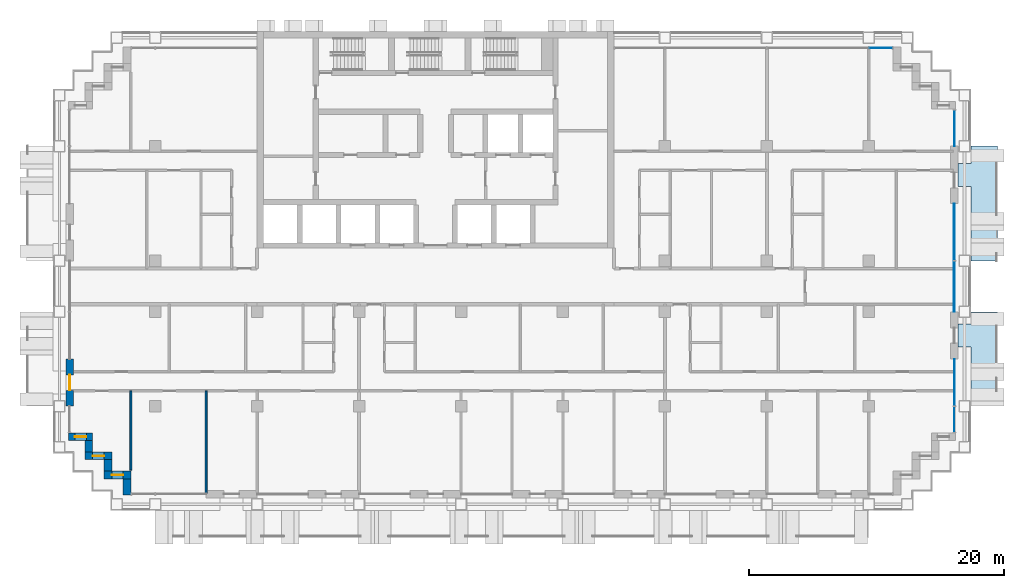
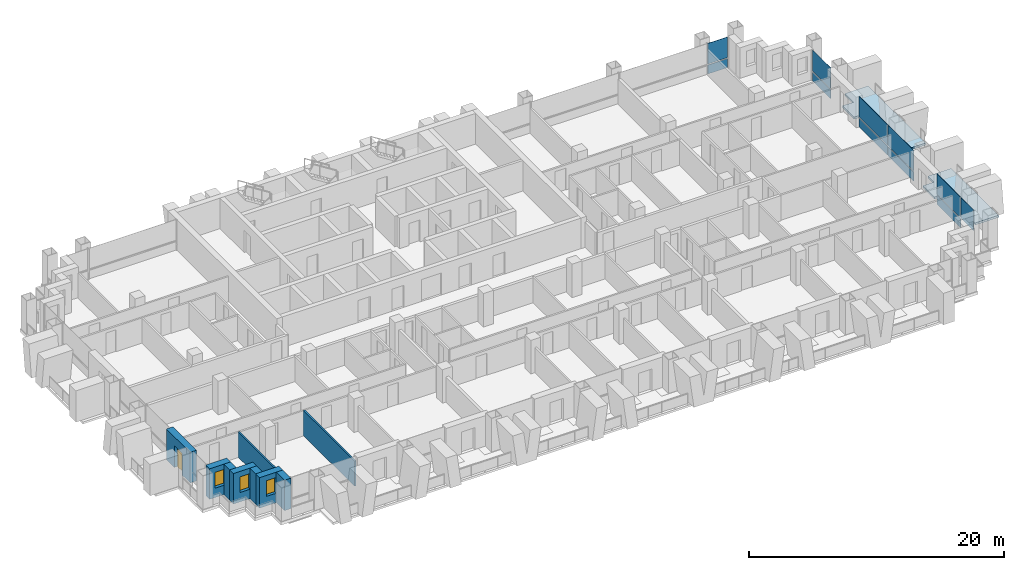
# One storey, part 8 of 17: 11 plates, 9 walls, 3 windows, 2 slabs, 1 door, 4 openings, 4 elements without a shape of their own.
"""IFC4 building model written with IfcOpenShell, lengths in metres."""

from ifc_helpers import new_model, si_unit, direction, frame, frame_2d, origin, origin_2d, place, context, subcontext, project, spatial, polyline, rectangle, outline, extrude, material, layer, layer_set, type_object, element, fill, aggregate, save


model = new_model("IFC4")

# Units and contexts
model_context = context("Model", 3, precision=1e-05, world=origin(), true_north=direction((0.0, 1.0)))
body_context = subcontext(model_context, "Body", "Model", "MODEL_VIEW")
ifc_project = project(units=[si_unit("LENGTHUNIT", "METRE"), si_unit("AREAUNIT", "SQUARE_METRE"), si_unit("VOLUMEUNIT", "CUBIC_METRE"), si_unit("PLANEANGLEUNIT", "RADIAN"), si_unit("MASSUNIT", "GRAM", prefix="KILO")], contexts=[model_context])

# Site, building, storey
site_placement = place(None, origin())
site = spatial("IfcSite", under=ifc_project, at=site_placement, CompositionType="ELEMENT")
building_placement = place(site_placement, origin())
building = spatial("IfcBuilding", under=site, at=building_placement, Name="Vidyagriha Tower", CompositionType="ELEMENT")
storey_placement = place(building_placement, frame((0.0, 0.0, 96.699951171875)))
storey = spatial("IfcBuildingStorey", under=building, at=storey_placement, Name="L25", CompositionType="ELEMENT", Elevation=96.699951171875)

# Curtain wall, plate
ifc_material_1 = material(Name="Aluminium and glass curtain wall", Category="aluminium")
curtain_wall_type = type_object("IfcCurtainWallType", Name="Dwelling skin unitised curtain wall", PredefinedType="USERDEFINED", material=ifc_material_1)
curtain_wall_1_placement = place(storey_placement, origin())
curtain_wall_1 = element("IfcCurtainWall", 1, at=curtain_wall_1_placement, inside=storey, type_object=curtain_wall_type, Name="CW1 dwelling skin", ObjectType="UNITISED", PredefinedType="USERDEFINED")
ifc_material_2 = material(Name="Glass dark ceramic-fritted spandrel", Category="glass")
ifc_layer_1 = layer(ifc_material_2, 0.0400390625)
ifc_layer_set_1 = layer_set([ifc_layer_1], Name="Glass dark ceramic-fritted spandrel")
plate_type_1 = type_object("IfcPlateType", Name="Ceramic-fritted spandrel panel", PredefinedType="CURTAIN_PANEL", material=ifc_layer_set_1)
plate_1_placement = place(storey_placement, frame((34.9326171875, 18.699951171875, 0.0), z_axis=(0.0, 0.0, 1.0), x_axis=(-1.0, 0.0, 0.0)))
plate_1 = element("IfcPlate", 2, at=plate_1_placement, type_object=plate_type_1, Name="CW1 panel 1.1", PredefinedType="CURTAIN_PANEL", context=body_context, shape_type="SweptSolid", body=[
    extrude(rectangle(XDim=1.794921875, YDim=0.0400390625, at=origin_2d()), origin(), (0.0, 0.0, 1.0), 0.85009765625),
])

curtain_wall_2_placement = place(storey_placement, origin())
curtain_wall_2 = element("IfcCurtainWall", 3, at=curtain_wall_2_placement, inside=storey, type_object=curtain_wall_type, Name="CW1 dwelling skin", ObjectType="UNITISED", PredefinedType="USERDEFINED")
plate_2_placement = place(storey_placement, frame((40.699951171875, -7.532470703125, 0.0), z_axis=(0.0, 0.0, 1.0), x_axis=(0.0, 1.0, 0.0)))
plate_2 = element("IfcPlate", 4, at=plate_2_placement, type_object=plate_type_1, Name="CW1 panel 2.1", PredefinedType="CURTAIN_PANEL", context=body_context, shape_type="SweptSolid", body=[
    extrude(rectangle(XDim=3.6650390625, YDim=0.0400390625, at=origin_2d()), origin(), (0.0, 0.0, 1.0), 0.85009765625),
])

curtain_wall_3_placement = place(storey_placement, origin())
curtain_wall_3 = element("IfcCurtainWall", 5, at=curtain_wall_3_placement, inside=storey, type_object=curtain_wall_type, Name="CW1 dwelling skin", ObjectType="UNITISED", PredefinedType="USERDEFINED")
plate_3_placement = place(storey_placement, frame((40.699951171875, 12.4150390625, 0.0), z_axis=(0.0, 0.0, 1.0), x_axis=(0.0, 1.0, 0.0)))
plate_3 = element("IfcPlate", 6, at=plate_3_placement, type_object=plate_type_1, Name="CW1 panel 1.1", PredefinedType="CURTAIN_PANEL", context=body_context, shape_type="SweptSolid", body=[
    extrude(rectangle(XDim=2.830078125, YDim=0.0400390625, at=origin_2d()), origin(), (0.0, 0.0, 1.0), 0.85009765625),
])

# Plate
ifc_material_3 = material(Name="Glass dark ceramic-fritted", Category="glass")
ifc_layer_2 = layer(ifc_material_3, 0.028076171875)
ifc_layer_set_2 = layer_set([ifc_layer_2], Name="Glass dark ceramic-fritted")
plate_type_2 = type_object("IfcPlateType", Name="Dark ceramic-fritted vision glass panel", PredefinedType="CURTAIN_PANEL", material=ifc_layer_set_2)
plate_4_placement = place(storey_placement, frame((34.9326171875, 18.699951171875, 0.9501953125), z_axis=(0.0, 0.0, 1.0), x_axis=(-1.0, 0.0, 0.0)))
plate_4 = element("IfcPlate", 7, at=plate_4_placement, type_object=plate_type_2, Name="CW1 panel 1.2", PredefinedType="CURTAIN_PANEL", context=body_context, shape_type="SweptSolid", body=[
    extrude(rectangle(XDim=1.794921875, YDim=0.028076171875, at=origin_2d()), origin(), (0.0, 0.0, 1.0), 1.969970703125),
])

aggregate(curtain_wall_1, [plate_1, plate_4])

plate_5_placement = place(storey_placement, frame((40.699951171875, -10.4326171875, 0.9501953125), z_axis=(0.0, 0.0, 1.0), x_axis=(0.0, 1.0, 0.0)))
plate_5 = element("IfcPlate", 8, at=plate_5_placement, type_object=plate_type_2, Name="CW1 panel 1.2", PredefinedType="CURTAIN_PANEL", context=body_context, shape_type="SweptSolid", body=[
    extrude(rectangle(XDim=1.9951171875, YDim=0.028076171875, at=origin_2d()), origin(), (0.0, 0.0, 1.0), 1.969970703125),
])

plate_6_placement = place(storey_placement, frame((40.699951171875, -7.532470703125, 0.9501953125), z_axis=(0.0, 0.0, 1.0), x_axis=(0.0, 1.0, 0.0)))
plate_6 = element("IfcPlate", 9, at=plate_6_placement, type_object=plate_type_2, Name="CW1 panel 2.2", PredefinedType="CURTAIN_PANEL", context=body_context, shape_type="SweptSolid", body=[
    extrude(rectangle(XDim=3.6650390625, YDim=0.028076171875, at=origin_2d()), origin(), (0.0, 0.0, 1.0), 1.969970703125),
])

aggregate(curtain_wall_2, [plate_5, plate_2, plate_6])

# Curtain wall, plates
curtain_wall_4_placement = place(storey_placement, origin())
curtain_wall_4 = element("IfcCurtainWall", 10, at=curtain_wall_4_placement, inside=storey, type_object=curtain_wall_type, Name="CW1 dwelling skin", ObjectType="UNITISED", PredefinedType="USERDEFINED")
plate_7_placement = place(storey_placement, frame((40.699951171875, -0.017578125, 0.9501953125), z_axis=(0.0, 0.0, 1.0), x_axis=(0.0, 1.0, 0.0)))
plate_7 = element("IfcPlate", 11, at=plate_7_placement, type_object=plate_type_2, Name="CW1 panel 1.2", PredefinedType="CURTAIN_PANEL", context=body_context, shape_type="SweptSolid", body=[
    extrude(rectangle(XDim=3.965087890625, YDim=0.028076171875, at=origin_2d()), origin(), (0.0, 0.0, 1.0), 1.969970703125),
])
plate_8_placement = place(storey_placement, frame((40.699951171875, 4.267578125, 0.9501953125), z_axis=(0.0, 0.0, 1.0), x_axis=(0.0, 1.0, 0.0)))
plate_8 = element("IfcPlate", 12, at=plate_8_placement, type_object=plate_type_2, Name="CW1 panel 2.2", PredefinedType="CURTAIN_PANEL", context=body_context, shape_type="SweptSolid", body=[
    extrude(rectangle(XDim=4.465087890625, YDim=0.028076171875, at=origin_2d()), origin(), (0.0, 0.0, 1.0), 1.969970703125),
])

# Plate
plate_9_placement = place(storey_placement, frame((40.699951171875, 12.4150390625, 0.9501953125), z_axis=(0.0, 0.0, 1.0), x_axis=(0.0, 1.0, 0.0)))
plate_9 = element("IfcPlate", 13, at=plate_9_placement, type_object=plate_type_2, Name="CW1 panel 1.2", PredefinedType="CURTAIN_PANEL", context=body_context, shape_type="SweptSolid", body=[
    extrude(rectangle(XDim=2.830078125, YDim=0.028076171875, at=origin_2d()), origin(), (0.0, 0.0, 1.0), 1.969970703125),
])

aggregate(curtain_wall_3, [plate_3, plate_9])

ifc_material_4 = material(Name="Aluminium black anodised", Category="aluminium")
ifc_layer_3 = layer(ifc_material_4, 0.06005859375)
ifc_layer_set_3 = layer_set([ifc_layer_3], Name="Aluminium black anodised")
plate_type_3 = type_object("IfcPlateType", Name="Operable black-metal vent panel", PredefinedType="CURTAIN_PANEL", material=ifc_layer_set_3)
plate_10_placement = place(storey_placement, frame((40.699951171875, -0.017578125, 0.0), z_axis=(0.0, 0.0, 1.0), x_axis=(0.0, 1.0, 0.0)))
plate_10 = element("IfcPlate", 14, at=plate_10_placement, type_object=plate_type_3, Name="CW1 panel 1.1", PredefinedType="CURTAIN_PANEL", context=body_context, shape_type="SweptSolid", body=[
    extrude(rectangle(XDim=3.965087890625, YDim=0.06005859375, at=origin_2d()), origin(), (0.0, 0.0, 1.0), 0.85009765625),
])

plate_11_placement = place(storey_placement, frame((40.699951171875, 4.267578125, 0.0), z_axis=(0.0, 0.0, 1.0), x_axis=(0.0, 1.0, 0.0)))
plate_11 = element("IfcPlate", 15, at=plate_11_placement, type_object=plate_type_3, Name="CW1 panel 2.1", PredefinedType="CURTAIN_PANEL", context=body_context, shape_type="SweptSolid", body=[
    extrude(rectangle(XDim=4.465087890625, YDim=0.06005859375, at=origin_2d()), origin(), (0.0, 0.0, 1.0), 0.85009765625),
])

aggregate(curtain_wall_4, [plate_10, plate_7, plate_11, plate_8])

# Slabs
ifc_material_5 = material(Name="Precast concrete C40/50", Category="concrete")
ifc_layer_4 = layer(ifc_material_5, 0.199951171875)
ifc_layer_set_4 = layer_set([ifc_layer_4], Name="Precast concrete C40/50")
slab_type = type_object("IfcSlabType", Name="Precast balcony slab 200", PredefinedType="USERDEFINED", material=ifc_layer_set_4)
slab_1_placement = place(storey_placement, frame((0.0, 0.0, -0.199951171875)))
element("IfcSlab", 16, at=slab_1_placement, inside=storey, type_object=slab_type, Name="Balcony slab L25 R30.1-1", ObjectType="BALCONY", PredefinedType="USERDEFINED", context=body_context, shape_type="SweptSolid", body=[
    extrude(outline(polyline([(42.0, -4.75), (42.0, -9.39990234375), (44.10009765625, -9.39990234375), (44.10009765625, -2.0), (42.0, -2.0), (42.0, -2.949951171875), (41.0, -2.949951171875), (41.0, -4.75), (42.0, -4.75)])), origin(), (0.0, 0.0, 1.0), 0.199951171875),
])
slab_2_placement = place(storey_placement, frame((0.0, 0.0, -0.199951171875)))
element("IfcSlab", 17, at=slab_2_placement, inside=storey, type_object=slab_type, Name="Balcony slab L25 R30.2-2", ObjectType="BALCONY", PredefinedType="USERDEFINED", context=body_context, shape_type="SweptSolid", body=[
    extrude(outline(polyline([(42.0, 7.85009765625), (42.0, 2.0), (44.10009765625, 2.0), (44.10009765625, 11.0), (42.0, 11.0), (42.0, 9.64990234375), (41.0, 9.64990234375), (41.0, 7.85009765625), (42.0, 7.85009765625)])), origin(), (0.0, 0.0, 1.0), 0.199951171875),
])

# Wall, opening, door
ifc_material_6 = material(Name="Precast concrete C40/50 with brick facing", Category="concrete")
ifc_layer_5 = layer(ifc_material_6, 0.60009765625)
ifc_layer_set_5 = layer_set([ifc_layer_5], Name="Precast concrete C40/50 with brick facing")
wall_type_1 = type_object("IfcWallType", Name="Brick-faced precast wall 600", PredefinedType="STANDARD", material=ifc_layer_set_5)
wall_1_placement = place(storey_placement, frame((-28.699951171875, -5.699951171875, 0.0), z_axis=(0.0, 0.0, 1.0), x_axis=(0.0, -1.0, 0.0)))
wall_1 = element("IfcWall", 18, at=wall_1_placement, inside=storey, type_object=wall_type_1, Name="Brick door bay wall L25 R16.6", PredefinedType="STANDARD", context=body_context, shape_type="SweptSolid", body=[
    extrude(rectangle(XDim=3.699951171875, YDim=0.60009765625, at=frame_2d((1.85009765625, 0.0))), origin(), (0.0, 0.0, 1.0), 2.920166015625),
])
opening_1_placement = place(wall_1_placement, frame((1.25, 0.0, 0.0)))
opening_1 = element("IfcOpeningElement", 19, at=opening_1_placement, cuts=wall_1, Name="Opening D25-67", PredefinedType="OPENING", context=body_context, shape_type="SweptSolid", body=[
    extrude(rectangle(XDim=1.199951171875, YDim=2.10009765625, at=frame_2d((0.60009765625, 1.050048828125))), frame((0.0, 0.31005859375, 0.0), z_axis=(0.0, -1.0, 0.0), x_axis=(1.0, 0.0, 0.0)), (0.0, 0.0, 1.0), 0.6201171875),
])
ifc_material_7 = material(Name="Aluminium framed glazed sliding door", Category="aluminium")
door_type = type_object("IfcDoorType", Name="Balcony sliding door 1200x2100", OperationType="NOTDEFINED", PredefinedType="DOOR", material=ifc_material_7)
door_placement = place(opening_1_placement, origin())
door = element("IfcDoor", 20, at=door_placement, inside=storey, type_object=door_type, Name="Door D25-67", OperationType="SLIDING_TO_LEFT", OverallHeight=2.10009765625, OverallWidth=1.199951171875, PredefinedType="DOOR", context=body_context, shape_type="SweptSolid", body=[
    extrude(rectangle(XDim=1.199951171875, YDim=2.10009765625, at=frame_2d((0.60009765625, 1.050048828125))), frame((0.0, 0.02490234375, 0.0), z_axis=(0.0, -1.0, 0.0), x_axis=(1.0, 0.0, 0.0)), (0.0, 0.0, 1.0), 0.050048828125),
])
fill(opening_1, door)

# Wall, opening, window
wall_2_placement = place(storey_placement, frame((-28.780029296875, -11.800048828125, 0.0)))
wall_2 = element("IfcWall", 21, at=wall_2_placement, inside=storey, type_object=wall_type_1, Name="Stepped corner wall L25 R17", PredefinedType="STANDARD", context=body_context, shape_type="SweptSolid", body=[
    extrude(rectangle(XDim=1.880126953125, YDim=0.60009765625, at=frame_2d((0.93994140625, 0.0))), origin(), (0.0, 0.0, 1.0), 2.920166015625),
])
opening_2_placement = place(wall_2_placement, frame((0.489990234375, 0.0, 0.89990234375)))
opening_2 = element("IfcOpeningElement", 22, at=opening_2_placement, cuts=wall_2, Name="Opening WN1", PredefinedType="OPENING", context=body_context, shape_type="SweptSolid", body=[
    extrude(rectangle(XDim=0.89990234375, YDim=1.5, at=frame_2d((0.449951171875, 0.75))), frame((0.0, 0.31005859375, 0.0), z_axis=(0.0, -1.0, 0.0), x_axis=(1.0, 0.0, 0.0)), (0.0, 0.0, 1.0), 0.6201171875),
])
ifc_material_8 = material(Name="Aluminium and glass window", Category="aluminium")
window_type = type_object("IfcWindowType", Name="Reveal window 900x1500", PartitioningType="NOTDEFINED", PredefinedType="WINDOW", material=ifc_material_8)
window_1_placement = place(opening_2_placement, origin())
window_1 = element("IfcWindow", 23, at=window_1_placement, inside=storey, type_object=window_type, Name="Reveal window L25 R17", OverallHeight=1.5, OverallWidth=0.89990234375, PartitioningType="SINGLE_PANEL", PredefinedType="WINDOW", context=body_context, shape_type="SweptSolid", body=[
    extrude(rectangle(XDim=0.89990234375, YDim=1.5, at=frame_2d((0.449951171875, 0.75))), frame((0.0, 0.030029296875, 0.0), z_axis=(0.0, -1.0, 0.0), x_axis=(1.0, 0.0, 0.0)), (0.0, 0.0, 1.0), 0.06005859375),
])
fill(opening_2, window_1)

# Wall
wall_3_placement = place(storey_placement, frame((-27.199951171875, -12.10009765625, 0.0), z_axis=(0.0, 0.0, 1.0), x_axis=(0.0, -1.0, 0.0)))
element("IfcWall", 24, at=wall_3_placement, inside=storey, type_object=wall_type_1, Name="Stepped corner wall L25 R18", PredefinedType="STANDARD", context=body_context, shape_type="SweptSolid", body=[
    extrude(rectangle(XDim=0.89990234375, YDim=0.60009765625, at=frame_2d((0.449951171875, 0.0))), origin(), (0.0, 0.0, 1.0), 2.920166015625),
])

# Wall, opening, window
wall_4_placement = place(storey_placement, frame((-27.5, -13.300048828125, 0.0)))
wall_4 = element("IfcWall", 25, at=wall_4_placement, inside=storey, type_object=wall_type_1, Name="Stepped corner wall L25 R19", PredefinedType="STANDARD", context=body_context, shape_type="SweptSolid", body=[
    extrude(rectangle(XDim=2.10009765625, YDim=0.60009765625, at=frame_2d((1.050048828125, 0.0))), origin(), (0.0, 0.0, 1.0), 2.920166015625),
])
opening_3_placement = place(wall_4_placement, frame((0.60009765625, 0.0, 0.89990234375)))
opening_3 = element("IfcOpeningElement", 26, at=opening_3_placement, cuts=wall_4, Name="Opening WN1", PredefinedType="OPENING", context=body_context, shape_type="SweptSolid", body=[
    extrude(rectangle(XDim=0.89990234375, YDim=1.5, at=frame_2d((0.449951171875, 0.75))), frame((0.0, 0.31005859375, 0.0), z_axis=(0.0, -1.0, 0.0), x_axis=(1.0, 0.0, 0.0)), (0.0, 0.0, 1.0), 0.6201171875),
])
window_2_placement = place(opening_3_placement, origin())
window_2 = element("IfcWindow", 27, at=window_2_placement, inside=storey, type_object=window_type, Name="Reveal window L25 R19", OverallHeight=1.5, OverallWidth=0.89990234375, PartitioningType="SINGLE_PANEL", PredefinedType="WINDOW", context=body_context, shape_type="SweptSolid", body=[
    extrude(rectangle(XDim=0.89990234375, YDim=1.5, at=frame_2d((0.449951171875, 0.75))), frame((0.0, 0.030029296875, 0.0), z_axis=(0.0, -1.0, 0.0), x_axis=(1.0, 0.0, 0.0)), (0.0, 0.0, 1.0), 0.06005859375),
])
fill(opening_3, window_2)

# Wall
wall_5_placement = place(storey_placement, frame((-25.699951171875, -13.60009765625, 0.0), z_axis=(0.0, 0.0, 1.0), x_axis=(0.0, -1.0, 0.0)))
element("IfcWall", 28, at=wall_5_placement, inside=storey, type_object=wall_type_1, Name="Stepped corner wall L25 R20", PredefinedType="STANDARD", context=body_context, shape_type="SweptSolid", body=[
    extrude(rectangle(XDim=0.89990234375, YDim=0.60009765625, at=frame_2d((0.449951171875, 0.0))), origin(), (0.0, 0.0, 1.0), 2.920166015625),
])

# Wall, opening, window
wall_6_placement = place(storey_placement, frame((-26.0, -14.800048828125, 0.0)))
wall_6 = element("IfcWall", 29, at=wall_6_placement, inside=storey, type_object=wall_type_1, Name="Stepped corner wall L25 R21", PredefinedType="STANDARD", context=body_context, shape_type="SweptSolid", body=[
    extrude(rectangle(XDim=2.10009765625, YDim=0.60009765625, at=frame_2d((1.050048828125, 0.0))), origin(), (0.0, 0.0, 1.0), 2.920166015625),
])
opening_4_placement = place(wall_6_placement, frame((0.60009765625, 0.0, 0.89990234375)))
opening_4 = element("IfcOpeningElement", 30, at=opening_4_placement, cuts=wall_6, Name="Opening WN1", PredefinedType="OPENING", context=body_context, shape_type="SweptSolid", body=[
    extrude(rectangle(XDim=0.89990234375, YDim=1.5, at=frame_2d((0.449951171875, 0.75))), frame((0.0, 0.31005859375, 0.0), z_axis=(0.0, -1.0, 0.0), x_axis=(1.0, 0.0, 0.0)), (0.0, 0.0, 1.0), 0.6201171875),
])
window_3_placement = place(opening_4_placement, origin())
window_3 = element("IfcWindow", 31, at=window_3_placement, inside=storey, type_object=window_type, Name="Reveal window L25 R21", OverallHeight=1.5, OverallWidth=0.89990234375, PartitioningType="SINGLE_PANEL", PredefinedType="WINDOW", context=body_context, shape_type="SweptSolid", body=[
    extrude(rectangle(XDim=0.89990234375, YDim=1.5, at=frame_2d((0.449951171875, 0.75))), frame((0.0, 0.030029296875, 0.0), z_axis=(0.0, -1.0, 0.0), x_axis=(1.0, 0.0, 0.0)), (0.0, 0.0, 1.0), 0.06005859375),
])
fill(opening_4, window_3)

# Walls
wall_7_placement = place(storey_placement, frame((-24.199951171875, -15.10009765625, 0.0), z_axis=(0.0, 0.0, 1.0), x_axis=(0.0, -1.0, 0.0)))
element("IfcWall", 32, at=wall_7_placement, inside=storey, type_object=wall_type_1, Name="Stepped corner wall L25 R22", PredefinedType="STANDARD", context=body_context, shape_type="SweptSolid", body=[
    extrude(rectangle(XDim=1.27978515625, YDim=0.60009765625, at=frame_2d((0.639892578125, 0.0))), origin(), (0.0, 0.0, 1.0), 2.920166015625),
])
ifc_material_9 = material(Name="Gypsum board partition")
ifc_layer_6 = layer(ifc_material_9, 0.14990234375)
ifc_layer_set_6 = layer_set([ifc_layer_6], Name="Gypsum board partition")
wall_type_2 = type_object("IfcWallType", Name="Gypsum board partition 150", PredefinedType="PARTITIONING", material=ifc_layer_set_6)
wall_8_placement = place(storey_placement, frame((-23.89990234375, -8.199951171875, 0.0), z_axis=(0.0, 0.0, 1.0), x_axis=(0.0, -1.0, 0.0)))
element("IfcWall", 33, at=wall_8_placement, inside=storey, type_object=wall_type_2, Name="Wall all-L25-w017", PredefinedType="PARTITIONING", context=body_context, shape_type="SweptSolid", body=[
    extrude(rectangle(XDim=6.219970703125, YDim=0.14990234375, at=frame_2d((3.10986328125, 0.0))), origin(), (0.0, 0.0, 1.0), 2.400146484375),
])
wall_9_placement = place(storey_placement, frame((-18.0, -8.199951171875, 0.0), z_axis=(0.0, 0.0, 1.0), x_axis=(0.0, -1.0, 0.0)))
element("IfcWall", 34, at=wall_9_placement, inside=storey, type_object=wall_type_2, Name="Wall all-L25-w018", PredefinedType="PARTITIONING", context=body_context, shape_type="SweptSolid", body=[
    extrude(rectangle(XDim=8.02099609375, YDim=0.14990234375, at=frame_2d((4.010498046875, 0.0))), origin(), (0.0, 0.0, 1.0), 2.400146484375),
])

save(model, "model.ifc")
